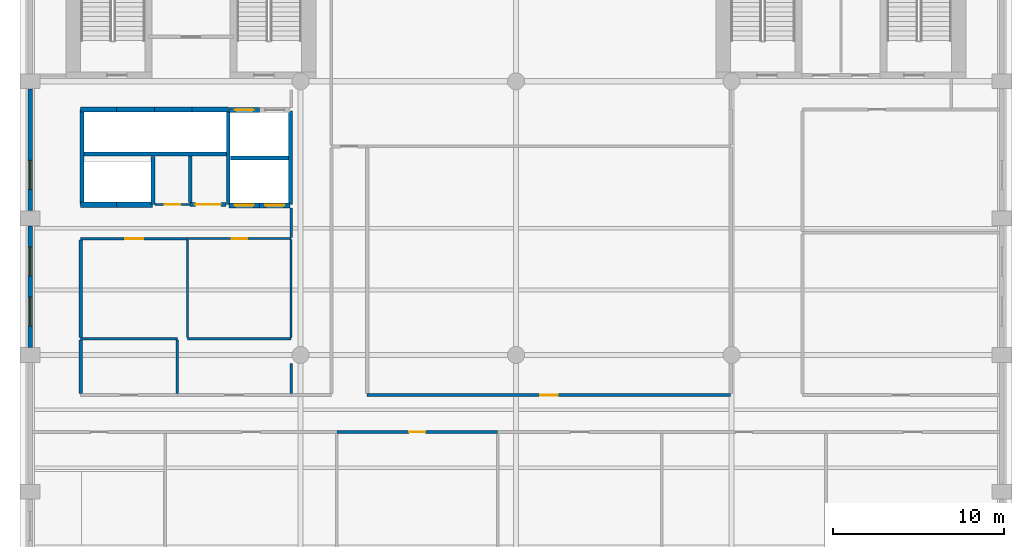
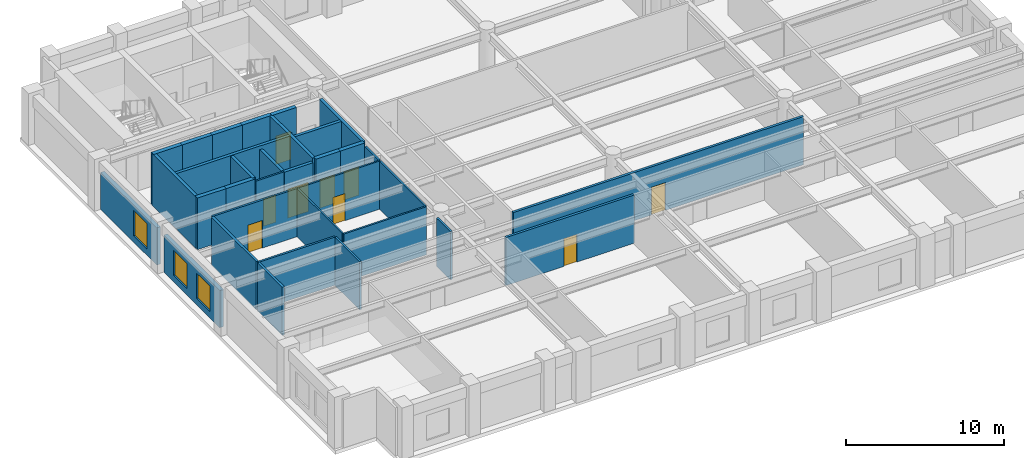
# One storey, part 3 of 9: 33 walls, 9 doors, 3 windows, 12 openings.
"""IFC4 building model written with IfcOpenShell, lengths in metres."""

from ifc_helpers import new_model, si_unit, direction, frame, frame_2d, origin, place, context, subcontext, project, spatial, rectangle, extrude, material, layer, layer_set, type_object, element, fill, save


model = new_model("IFC4")

# Units and contexts
model_context = context("Model", 3, precision=1e-05, world=origin(), true_north=direction((0.0, 1.0)))
body_context = subcontext(model_context, "Body", "Model", "MODEL_VIEW")
ifc_project = project(units=[si_unit("LENGTHUNIT", "METRE"), si_unit("AREAUNIT", "SQUARE_METRE"), si_unit("VOLUMEUNIT", "CUBIC_METRE"), si_unit("PLANEANGLEUNIT", "RADIAN"), si_unit("MASSUNIT", "GRAM", prefix="KILO")], contexts=[model_context])

# Site, building, storey
site_placement = place(None, origin())
site = spatial("IfcSite", under=ifc_project, at=site_placement, CompositionType="ELEMENT")
building_placement = place(site_placement, origin())
building = spatial("IfcBuilding", under=site, at=building_placement, Name="Sulina Concourse Tower", CompositionType="ELEMENT")
storey_placement = place(building_placement, frame((0.0, 0.0, 96.60009765625)))
storey = spatial("IfcBuildingStorey", under=building, at=storey_placement, Name="L23", CompositionType="ELEMENT", Elevation=96.60009765625)

# Walls
ifc_material_1 = material(Name="Concrete C50/60", Category="concrete")
ifc_layer_1 = layer(ifc_material_1, 0.219970703125)
ifc_layer_set_1 = layer_set([ifc_layer_1], Name="Concrete C50/60")
wall_type_1 = type_object("IfcWallType", Name="Core Lift Hoistway Divider Wall 220mm", PredefinedType="SOLIDWALL", material=ifc_layer_set_1)
wall_1_placement = place(storey_placement, frame((3.550048828125, 29.75, 0.0), z_axis=(0.0, 0.0, 1.0), x_axis=(1.0, 0.0, 0.0)))
element("IfcWall", 1, at=wall_1_placement, inside=storey, type_object=wall_type_1, Name="L23 shaft divider wall HW-LP3-S", PredefinedType="SOLIDWALL", context=body_context, shape_type="SweptSolid", body=[
    extrude(rectangle(XDim=8.64990234375, YDim=0.219970703125, at=frame_2d((4.324951171875, 0.0))), origin(), (0.0, 0.0, 1.0), 4.0),
])
wall_2_placement = place(storey_placement, frame((3.6298828125, 26.800048828125, 0.0), z_axis=(0.0, 0.0, 1.0), x_axis=(0.0, 1.0, 0.0)))
element("IfcWall", 2, at=wall_2_placement, inside=storey, type_object=wall_type_1, Name="L23 shaft divider wall HW-LP3-W", PredefinedType="SOLIDWALL", context=body_context, shape_type="SweptSolid", body=[
    extrude(rectangle(XDim=5.550048828125, YDim=0.219970703125, at=frame_2d((2.77490234375, 0.0))), origin(), (0.0, 0.0, 1.0), 4.0),
])
wall_3_placement = place(storey_placement, frame((7.780029296875, 26.800048828125, 0.0), z_axis=(0.0, 0.0, 1.0), x_axis=(0.0, 1.0, 0.0)))
element("IfcWall", 3, at=wall_3_placement, inside=storey, type_object=wall_type_1, Name="L23 shaft divider wall HW-EXP-E", PredefinedType="SOLIDWALL", context=body_context, shape_type="SweptSolid", body=[
    extrude(rectangle(XDim=2.800048828125, YDim=0.219970703125, at=frame_2d((1.39990234375, 0.0))), origin(), (0.0, 0.0, 1.0), 4.0),
])
for number, where, z_axis, x_axis, name in (
    (4, (12.179931640625, 26.800048828125, 0.0), (0.0, 0.0, 1.0), (0.0, 1.0, 0.0), "L23 shaft divider wall HW-LP2-W"),
    (5, (15.820068359375, 26.800048828125, 0.0), (0.0, 0.0, 1.0), (0.0, 1.0, 0.0), "L23 shaft divider wall HW-LP2-E"),
):
    element("IfcWall", number, at=place(storey_placement, frame(where, z_axis=z_axis, x_axis=x_axis)), inside=storey, type_object=wall_type_1, Name=name, PredefinedType="SOLIDWALL", context=body_context, shape_type="SweptSolid", body=[
        extrude(rectangle(XDim=5.449951171875, YDim=0.219970703125, at=frame_2d((2.72509765625, 0.0))), origin(), (0.0, 0.0, 1.0), 4.0),
    ])
wall_4_placement = place(storey_placement, frame((12.300048828125, 29.52001953125, 0.0), z_axis=(0.0, 0.0, 1.0), x_axis=(1.0, 0.0, 0.0)))
element("IfcWall", 6, at=wall_4_placement, inside=storey, type_object=wall_type_1, Name="L23 shaft divider wall HW-LP2-M", PredefinedType="SOLIDWALL", context=body_context, shape_type="SweptSolid", body=[
    extrude(rectangle(XDim=3.39990234375, YDim=0.219970703125, at=frame_2d((1.699951171875, 0.0))), origin(), (0.0, 0.0, 1.0), 4.0),
])

# Wall, opening, door
ifc_material_2 = material(Name="Concrete C50/60", Category="concrete")
ifc_layer_2 = layer(ifc_material_2, 0.300048828125)
ifc_layer_set_2 = layer_set([ifc_layer_2], Name="Concrete C50/60")
wall_type_2 = type_object("IfcWallType", Name="Core Lift Hoistway Wall 300mm", PredefinedType="SOLIDWALL", material=ifc_layer_set_2)
wall_5_placement = place(storey_placement, frame((14.0, 26.75, 0.0), z_axis=(0.0, 0.0, 1.0), x_axis=(-1.0, 0.0, 0.0)))
wall_5 = element("IfcWall", 7, at=wall_5_placement, inside=storey, type_object=wall_type_2, Name="L23 hoistway enclosure wall LP-05", PredefinedType="SOLIDWALL", context=body_context, shape_type="SweptSolid", body=[
    extrude(rectangle(XDim=1.780029296875, YDim=0.300048828125, at=frame_2d((0.89013671875, 0.0))), origin(), (0.0, 0.0, 1.0), 4.0),
])
opening_1_placement = place(wall_5_placement, frame((0.340087890625, 0.0, 0.0)))
opening_1 = element("IfcOpeningElement", 8, at=opening_1_placement, cuts=wall_5, Name="Opening LD-01", PredefinedType="OPENING", context=body_context, shape_type="SweptSolid", body=[
    extrude(rectangle(XDim=1.10009765625, YDim=2.199951171875, at=frame_2d((0.550048828125, 1.10009765625))), frame((0.0, 0.159912109375, 0.0), z_axis=(0.0, -1.0, 0.0), x_axis=(1.0, 0.0, 0.0)), (0.0, 0.0, 1.0), 0.320068359375),
])
ifc_material_3 = material(Name="Stainless steel lift landing door", Category="steel")
ifc_layer_3 = layer(ifc_material_3, 0.050048828125)
ifc_layer_set_3 = layer_set([ifc_layer_3], Name="Stainless steel lift landing door")
door_type_1 = type_object("IfcDoorType", Name="Passenger Lift Sliding Landing Door 1100x2200", OperationType="SLIDING_TO_LEFT", PredefinedType="DOOR", material=ifc_layer_set_3)
door_1_placement = place(opening_1_placement, origin())
door_1 = element("IfcDoor", 9, at=door_1_placement, inside=storey, type_object=door_type_1, Name="L23 lift landing sliding door LP-05", OperationType="SLIDING_TO_LEFT", OverallHeight=2.199951171875, OverallWidth=1.10009765625, PredefinedType="DOOR", context=body_context, shape_type="SweptSolid", body=[
    extrude(rectangle(XDim=1.10009765625, YDim=2.199951171875, at=frame_2d((0.550048828125, 1.10009765625))), frame((0.0, 0.02490234375, 0.0), z_axis=(0.0, -1.0, 0.0), x_axis=(1.0, 0.0, 0.0)), (0.0, 0.0, 1.0), 0.050048828125),
])
fill(opening_1, door_1)

wall_6_placement = place(storey_placement, frame((15.780029296875, 26.75, 0.0), z_axis=(0.0, 0.0, 1.0), x_axis=(-1.0, 0.0, 0.0)))
wall_6 = element("IfcWall", 10, at=wall_6_placement, inside=storey, type_object=wall_type_2, Name="L23 hoistway enclosure wall LP-06", PredefinedType="SOLIDWALL", context=body_context, shape_type="SweptSolid", body=[
    extrude(rectangle(XDim=1.780029296875, YDim=0.300048828125, at=frame_2d((0.89013671875, 0.0))), origin(), (0.0, 0.0, 1.0), 4.0),
])
opening_2_placement = place(wall_6_placement, frame((0.340087890625, 0.0, 0.0)))
opening_2 = element("IfcOpeningElement", 11, at=opening_2_placement, cuts=wall_6, Name="Opening LD-01", PredefinedType="OPENING", context=body_context, shape_type="SweptSolid", body=[
    extrude(rectangle(XDim=1.10009765625, YDim=2.199951171875, at=frame_2d((0.550048828125, 1.10009765625))), frame((0.0, 0.159912109375, 0.0), z_axis=(0.0, -1.0, 0.0), x_axis=(1.0, 0.0, 0.0)), (0.0, 0.0, 1.0), 0.320068359375),
])
door_2_placement = place(opening_2_placement, origin())
door_2 = element("IfcDoor", 12, at=door_2_placement, inside=storey, type_object=door_type_1, Name="L23 lift landing sliding door LP-06", OperationType="SLIDING_TO_RIGHT", OverallHeight=2.199951171875, OverallWidth=1.10009765625, PredefinedType="DOOR", context=body_context, shape_type="SweptSolid", body=[
    extrude(rectangle(XDim=1.10009765625, YDim=2.199951171875, at=frame_2d((0.550048828125, 1.10009765625))), frame((0.0, 0.02490234375, 0.0), z_axis=(0.0, -1.0, 0.0), x_axis=(1.0, 0.0, 0.0)), (0.0, 0.0, 1.0), 0.050048828125),
])
fill(opening_2, door_2)

wall_7_placement = place(storey_placement, frame((12.219970703125, 32.320068359375, 0.0), z_axis=(0.0, 0.0, 1.0), x_axis=(1.0, 0.0, 0.0)))
wall_7 = element("IfcWall", 13, at=wall_7_placement, inside=storey, type_object=wall_type_2, Name="L23 hoistway enclosure wall LP-07", PredefinedType="SOLIDWALL", context=body_context, shape_type="SweptSolid", body=[
    extrude(rectangle(XDim=1.780029296875, YDim=0.300048828125, at=frame_2d((0.89013671875, 0.0))), origin(), (0.0, 0.0, 1.0), 4.0),
])
opening_3_placement = place(wall_7_placement, frame((0.340087890625, 0.0, 0.0)))
opening_3 = element("IfcOpeningElement", 14, at=opening_3_placement, cuts=wall_7, Name="Opening LD-01", PredefinedType="OPENING", context=body_context, shape_type="SweptSolid", body=[
    extrude(rectangle(XDim=1.10009765625, YDim=2.199951171875, at=frame_2d((0.550048828125, 1.10009765625))), frame((0.0, 0.159912109375, 0.0), z_axis=(0.0, -1.0, 0.0), x_axis=(1.0, 0.0, 0.0)), (0.0, 0.0, 1.0), 0.320068359375),
])
door_3_placement = place(opening_3_placement, origin())
door_3 = element("IfcDoor", 15, at=door_3_placement, inside=storey, type_object=door_type_1, Name="L23 lift landing sliding door LP-07", OperationType="SLIDING_TO_LEFT", OverallHeight=2.199951171875, OverallWidth=1.10009765625, PredefinedType="DOOR", context=body_context, shape_type="SweptSolid", body=[
    extrude(rectangle(XDim=1.10009765625, YDim=2.199951171875, at=frame_2d((0.550048828125, 1.10009765625))), frame((0.0, 0.02490234375, 0.0), z_axis=(0.0, -1.0, 0.0), x_axis=(1.0, 0.0, 0.0)), (0.0, 0.0, 1.0), 0.050048828125),
])
fill(opening_3, door_3)

# Walls
wall_8_placement = place(storey_placement, frame((3.550048828125, 32.35009765625, 0.0), z_axis=(0.0, 0.0, 1.0), x_axis=(1.0, 0.0, 0.0)))
element("IfcWall", 16, at=wall_8_placement, inside=storey, type_object=wall_type_2, Name="L23 hoistway enclosure wall LP-09", PredefinedType="SOLIDWALL", context=body_context, shape_type="SweptSolid", body=[
    extrude(rectangle(XDim=2.099853515625, YDim=0.300048828125, at=frame_2d((1.0498046875, 0.0))), origin(), (0.0, 0.0, 1.0), 4.0),
])
wall_9_placement = place(storey_placement, frame((5.64990234375, 32.35009765625, 0.0), z_axis=(0.0, 0.0, 1.0), x_axis=(1.0, 0.0, 0.0)))
element("IfcWall", 17, at=wall_9_placement, inside=storey, type_object=wall_type_2, Name="L23 hoistway enclosure wall LP-10", PredefinedType="SOLIDWALL", context=body_context, shape_type="SweptSolid", body=[
    extrude(rectangle(XDim=2.2001953125, YDim=0.300048828125, at=frame_2d((1.10009765625, 0.0))), origin(), (0.0, 0.0, 1.0), 4.0),
])
wall_10_placement = place(storey_placement, frame((7.85009765625, 32.35009765625, 0.0), z_axis=(0.0, 0.0, 1.0), x_axis=(1.0, 0.0, 0.0)))
element("IfcWall", 18, at=wall_10_placement, inside=storey, type_object=wall_type_2, Name="L23 hoistway enclosure wall LP-11", PredefinedType="SOLIDWALL", context=body_context, shape_type="SweptSolid", body=[
    extrude(rectangle(XDim=2.199951171875, YDim=0.300048828125, at=frame_2d((1.10009765625, 0.0))), origin(), (0.0, 0.0, 1.0), 4.0),
])
wall_11_placement = place(storey_placement, frame((10.050048828125, 32.35009765625, 0.0), z_axis=(0.0, 0.0, 1.0), x_axis=(1.0, 0.0, 0.0)))
element("IfcWall", 19, at=wall_11_placement, inside=storey, type_object=wall_type_2, Name="L23 hoistway enclosure wall LP-12", PredefinedType="SOLIDWALL", context=body_context, shape_type="SweptSolid", body=[
    extrude(rectangle(XDim=2.14990234375, YDim=0.300048828125, at=frame_2d((1.074951171875, 0.0))), origin(), (0.0, 0.0, 1.0), 4.0),
])
wall_12_placement = place(storey_placement, frame((5.64990234375, 26.780029296875, 0.0), z_axis=(0.0, 0.0, 1.0), x_axis=(-1.0, 0.0, 0.0)))
element("IfcWall", 20, at=wall_12_placement, inside=storey, type_object=wall_type_2, Name="L23 hoistway enclosure wall EXP-1", PredefinedType="SOLIDWALL", context=body_context, shape_type="SweptSolid", body=[
    extrude(rectangle(XDim=2.099853515625, YDim=0.300048828125, at=frame_2d((1.0498046875, 0.0))), origin(), (0.0, 0.0, 1.0), 4.0),
])
wall_13_placement = place(storey_placement, frame((7.75, 26.780029296875, 0.0), z_axis=(0.0, 0.0, 1.0), x_axis=(-1.0, 0.0, 0.0)))
element("IfcWall", 21, at=wall_13_placement, inside=storey, type_object=wall_type_2, Name="L23 hoistway enclosure wall EXP-2", PredefinedType="SOLIDWALL", context=body_context, shape_type="SweptSolid", body=[
    extrude(rectangle(XDim=2.10009765625, YDim=0.300048828125, at=frame_2d((1.050048828125, 0.0))), origin(), (0.0, 0.0, 1.0), 4.0),
])

# Wall, opening, door
ifc_material_4 = material(Name="Gypsum board on steel stud", Category="steel")
ifc_layer_4 = layer(ifc_material_4, 0.219970703125)
ifc_layer_set_4 = layer_set([ifc_layer_4], Name="Gypsum board on steel stud")
wall_type_3 = type_object("IfcWallType", Name="Fire-Rated Lobby & Compartment Wall 220mm", PredefinedType="PARTITIONING", material=ifc_layer_set_4)
wall_14_placement = place(storey_placement, frame((9.949951171875, 26.800048828125, 0.0), z_axis=(0.0, 0.0, 1.0), x_axis=(1.0, 0.0, 0.0)))
wall_14 = element("IfcWall", 22, at=wall_14_placement, inside=storey, type_object=wall_type_3, Name="L23 interior partition 018", PredefinedType="PARTITIONING", context=body_context, shape_type="SweptSolid", body=[
    extrude(rectangle(XDim=2.10009765625, YDim=0.219970703125, at=frame_2d((1.050048828125, 0.0))), origin(), (0.0, 0.0, 1.0), 3.724853515625),
])
opening_4_placement = place(wall_14_placement, frame((0.300048828125, 0.0, 0.0)))
opening_4 = element("IfcOpeningElement", 23, at=opening_4_placement, cuts=wall_14, Name="Opening DR-80", PredefinedType="OPENING", context=body_context, shape_type="SweptSolid", body=[
    extrude(rectangle(XDim=1.5, YDim=2.25, at=frame_2d((0.75, 1.125))), frame((0.0, 0.119873046875, 0.0), z_axis=(0.0, -1.0, 0.0), x_axis=(1.0, 0.0, 0.0)), (0.0, 0.0, 1.0), 0.239990234375),
])
ifc_material_5 = material(Name="Galvanised steel acoustic fire leaf", Category="steel")
ifc_layer_5 = layer(ifc_material_5, 0.054931640625)
ifc_layer_set_5 = layer_set([ifc_layer_5], Name="Galvanised steel acoustic fire leaf")
door_type_2 = type_object("IfcDoorType", Name="Mechanical Plant Double Fire Door 1500x2250", OperationType="DOUBLE_DOOR_SINGLE_SWING", PredefinedType="DOOR", material=ifc_layer_set_5)
door_4_placement = place(opening_4_placement, origin())
door_4 = element("IfcDoor", 24, at=door_4_placement, inside=storey, type_object=door_type_2, Name="L23 interior door L23-IT-IDF", OperationType="DOUBLE_DOOR_SINGLE_SWING", OverallHeight=2.25, OverallWidth=1.5, PredefinedType="DOOR", context=body_context, shape_type="SweptSolid", body=[
    extrude(rectangle(XDim=1.5, YDim=2.25, at=frame_2d((0.75, 1.125))), frame((0.0, 0.02490234375, 0.0), z_axis=(0.0, -1.0, 0.0), x_axis=(1.0, 0.0, 0.0)), (0.0, 0.0, 1.0), 0.050048828125),
])
fill(opening_4, door_4)

# Walls
wall_15_placement = place(storey_placement, frame((9.949951171875, 26.909912109375, 0.0), z_axis=(0.0, 0.0, 1.0), x_axis=(0.0, 1.0, 0.0)))
element("IfcWall", 25, at=wall_15_placement, inside=storey, type_object=wall_type_3, Name="L23 interior partition 031", PredefinedType="PARTITIONING", context=body_context, shape_type="SweptSolid", body=[
    extrude(rectangle(XDim=2.72998046875, YDim=0.219970703125, at=frame_2d((1.364990234375, 0.0))), origin(), (0.0, 0.0, 1.0), 3.724853515625),
])
ifc_material_6 = material(Name="Gypsum board on steel stud", Category="steel")
ifc_layer_6 = layer(ifc_material_6, 0.14990234375)
ifc_layer_set_6 = layer_set([ifc_layer_6], Name="Gypsum board on steel stud")
wall_type_4 = type_object("IfcWallType", Name="Inter-Tenancy Acoustic Partition 150mm", PredefinedType="PARTITIONING", material=ifc_layer_set_6)
wall_16_placement = place(storey_placement, frame((3.550048828125, 18.949951171875, 0.0), z_axis=(0.0, 0.0, 1.0), x_axis=(1.0, 0.0, 0.0)))
element("IfcWall", 26, at=wall_16_placement, inside=storey, type_object=wall_type_4, Name="L23 interior partition 012", PredefinedType="PARTITIONING", context=body_context, shape_type="SweptSolid", body=[
    extrude(rectangle(XDim=5.64990234375, YDim=0.14990234375, at=frame_2d((2.824951171875, 0.0))), origin(), (0.0, 0.0, 1.0), 3.724853515625),
])

# Wall, opening, door
wall_17_placement = place(storey_placement, frame((3.550048828125, 24.800048828125, 0.0), z_axis=(0.0, 0.0, 1.0), x_axis=(1.0, 0.0, 0.0)))
wall_17 = element("IfcWall", 27, at=wall_17_placement, inside=storey, type_object=wall_type_4, Name="L23 interior partition 014", PredefinedType="PARTITIONING", context=body_context, shape_type="SweptSolid", body=[
    extrude(rectangle(XDim=6.25, YDim=0.14990234375, at=frame_2d((3.125, 0.0))), origin(), (0.0, 0.0, 1.0), 3.724853515625),
])
opening_5_placement = place(wall_17_placement, frame((2.60009765625, 0.0, 0.0)))
opening_5 = element("IfcOpeningElement", 28, at=opening_5_placement, cuts=wall_17, Name="Opening DR-37", PredefinedType="OPENING", context=body_context, shape_type="SweptSolid", body=[
    extrude(rectangle(XDim=1.050048828125, YDim=2.14990234375, at=frame_2d((0.52490234375, 1.074951171875))), frame((0.0, 0.0849609375, 0.0), z_axis=(0.0, -1.0, 0.0), x_axis=(1.0, 0.0, 0.0)), (0.0, 0.0, 1.0), 0.169921875),
])
ifc_material_7 = material(Name="Oak-veneered fire door leaf")
ifc_layer_7 = layer(ifc_material_7, 0.050048828125)
ifc_layer_set_7 = layer_set([ifc_layer_7], Name="Oak-veneered fire door leaf")
door_type_3 = type_object("IfcDoorType", Name="Tenant Suite Entrance Fire Door 1050x2150", OperationType="NOTDEFINED", PredefinedType="DOOR", material=ifc_layer_set_7)
door_5_placement = place(opening_5_placement, origin())
door_5 = element("IfcDoor", 29, at=door_5_placement, inside=storey, type_object=door_type_3, Name="L23 interior door L23-LR-MRG1", OperationType="SINGLE_SWING_LEFT", OverallHeight=2.14990234375, OverallWidth=1.050048828125, PredefinedType="DOOR", context=body_context, shape_type="SweptSolid", body=[
    extrude(rectangle(XDim=1.050048828125, YDim=2.14990234375, at=frame_2d((0.52490234375, 1.074951171875))), frame((0.0, 0.02490234375, 0.0), z_axis=(0.0, -1.0, 0.0), x_axis=(1.0, 0.0, 0.0)), (0.0, 0.0, 1.0), 0.050048828125),
])
fill(opening_5, door_5)

# Walls
wall_18_placement = place(storey_placement, frame((9.199951171875, 15.739990234375, 0.0), z_axis=(0.0, 0.0, 1.0), x_axis=(0.0, 1.0, 0.0)))
element("IfcWall", 30, at=wall_18_placement, inside=storey, type_object=wall_type_4, Name="L23 interior partition 029", PredefinedType="PARTITIONING", context=body_context, shape_type="SweptSolid", body=[
    extrude(rectangle(XDim=3.135009765625, YDim=0.14990234375, at=frame_2d((1.5673828125, 0.0))), origin(), (0.0, 0.0, 1.0), 3.724853515625),
])
wall_19_placement = place(storey_placement, frame((15.85009765625, 15.739990234375, 0.0), z_axis=(0.0, 0.0, 1.0), x_axis=(0.0, 1.0, 0.0)))
element("IfcWall", 31, at=wall_19_placement, inside=storey, type_object=wall_type_4, Name="L23 interior partition 032", PredefinedType="PARTITIONING", context=body_context, shape_type="SweptSolid", body=[
    extrude(rectangle(XDim=1.760009765625, YDim=0.14990234375, at=frame_2d((0.8798828125, 0.0))), origin(), (0.0, 0.0, 1.0), 3.724853515625),
])
wall_20_placement = place(storey_placement, frame((15.85009765625, 24.862548828125, 0.0), z_axis=(0.0, 0.0, 1.0), x_axis=(0.0, 1.0, 0.0)))
element("IfcWall", 32, at=wall_20_placement, inside=storey, type_object=wall_type_4, Name="L23 interior partition 034", PredefinedType="PARTITIONING", context=body_context, shape_type="SweptSolid", body=[
    extrude(rectangle(XDim=1.737548828125, YDim=0.14990234375, at=frame_2d((0.86865234375, 0.0))), origin(), (0.0, 0.0, 1.0), 3.724853515625),
])

# Wall, opening, door
ifc_material_8 = material(Name="Gypsum board on steel stud", Category="steel")
ifc_layer_8 = layer(ifc_material_8, 0.179931640625)
ifc_layer_set_8 = layer_set([ifc_layer_8], Name="Gypsum board on steel stud")
wall_type_5 = type_object("IfcWallType", Name="Protected Corridor & Riser Partition 180mm", PredefinedType="PARTITIONING", material=ifc_layer_set_8)
wall_21_placement = place(storey_placement, frame((18.52001953125, 13.5, 0.0), z_axis=(0.0, 0.0, 1.0), x_axis=(1.0, 0.0, 0.0)))
wall_21 = element("IfcWall", 33, at=wall_21_placement, inside=storey, type_object=wall_type_5, Name="L23 interior partition 003", PredefinedType="PARTITIONING", context=body_context, shape_type="SweptSolid", body=[
    extrude(rectangle(XDim=9.39990234375, YDim=0.179931640625, at=frame_2d((4.699951171875, 0.0))), origin(), (0.0, 0.0, 1.0), 3.724853515625),
])
opening_6_placement = place(wall_21_placement, frame((4.22509765625, 0.0, 0.0)))
opening_6 = element("IfcOpeningElement", 34, at=opening_6_placement, cuts=wall_21, Name="Opening DR-19", PredefinedType="OPENING", context=body_context, shape_type="SweptSolid", body=[
    extrude(rectangle(XDim=0.949951171875, YDim=2.14990234375, at=frame_2d((0.47509765625, 1.074951171875))), frame((0.0, 0.099853515625, 0.0), z_axis=(0.0, -1.0, 0.0), x_axis=(1.0, 0.0, 0.0)), (0.0, 0.0, 1.0), 0.199951171875),
])
ifc_material_9 = material(Name="Oak-veneered acoustic timber leaf", Category="wood")
ifc_layer_9 = layer(ifc_material_9, 0.050048828125)
ifc_layer_set_9 = layer_set([ifc_layer_9], Name="Oak-veneered acoustic timber leaf")
door_type_4 = type_object("IfcDoorType", Name="Cellular Office & Meeting Door 950x2150", OperationType="NOTDEFINED", PredefinedType="DOOR", material=ifc_layer_set_9)
door_6_placement = place(opening_6_placement, origin())
door_6 = element("IfcDoor", 35, at=door_6_placement, inside=storey, type_object=door_type_4, Name="L23 interior door L23-S03", OperationType="SINGLE_SWING_LEFT", OverallHeight=2.14990234375, OverallWidth=0.949951171875, PredefinedType="DOOR", context=body_context, shape_type="SweptSolid", body=[
    extrude(rectangle(XDim=0.949951171875, YDim=2.14990234375, at=frame_2d((0.47509765625, 1.074951171875))), frame((0.0, 0.02490234375, 0.0), z_axis=(0.0, -1.0, 0.0), x_axis=(1.0, 0.0, 0.0)), (0.0, 0.0, 1.0), 0.050048828125),
])
fill(opening_6, door_6)

wall_22_placement = place(storey_placement, frame((20.300048828125, 15.64990234375, 0.0), z_axis=(0.0, 0.0, 1.0), x_axis=(1.0, 0.0, 0.0)))
wall_22 = element("IfcWall", 36, at=wall_22_placement, inside=storey, type_object=wall_type_5, Name="L23 interior partition 010", PredefinedType="PARTITIONING", context=body_context, shape_type="SweptSolid", body=[
    extrude(rectangle(XDim=21.25, YDim=0.179931640625, at=frame_2d((10.625, 0.0))), origin(), (0.0, 0.0, 1.0), 3.724853515625),
])
opening_7_placement = place(wall_22_placement, frame((10.10009765625, 0.0, 0.0)))
opening_7 = element("IfcOpeningElement", 37, at=opening_7_placement, cuts=wall_22, Name="Opening DR-37", PredefinedType="OPENING", context=body_context, shape_type="SweptSolid", body=[
    extrude(rectangle(XDim=1.050048828125, YDim=2.14990234375, at=frame_2d((0.52490234375, 1.074951171875))), frame((0.0, 0.099853515625, 0.0), z_axis=(0.0, -1.0, 0.0), x_axis=(1.0, 0.0, 0.0)), (0.0, 0.0, 1.0), 0.199951171875),
])
door_7_placement = place(opening_7_placement, origin())
door_7 = element("IfcDoor", 38, at=door_7_placement, inside=storey, type_object=door_type_3, Name="L23 interior door L23-NC3", OperationType="SINGLE_SWING_LEFT", OverallHeight=2.14990234375, OverallWidth=1.050048828125, PredefinedType="DOOR", context=body_context, shape_type="SweptSolid", body=[
    extrude(rectangle(XDim=1.050048828125, YDim=2.14990234375, at=frame_2d((0.52490234375, 1.074951171875))), frame((0.0, 0.02490234375, 0.0), z_axis=(0.0, -1.0, 0.0), x_axis=(1.0, 0.0, 0.0)), (0.0, 0.0, 1.0), 0.050048828125),
])
fill(opening_7, door_7)

# Walls
wall_23_placement = place(storey_placement, frame((3.550048828125, 15.739990234375, 0.0), z_axis=(0.0, 0.0, 1.0), x_axis=(0.0, 1.0, 0.0)))
element("IfcWall", 39, at=wall_23_placement, inside=storey, type_object=wall_type_5, Name="L23 interior partition 026", PredefinedType="PARTITIONING", context=body_context, shape_type="SweptSolid", body=[
    extrude(rectangle(XDim=3.135009765625, YDim=0.179931640625, at=frame_2d((1.5673828125, 0.0))), origin(), (0.0, 0.0, 1.0), 3.724853515625),
])
wall_24_placement = place(storey_placement, frame((3.550048828125, 19.02490234375, 0.0), z_axis=(0.0, 0.0, 1.0), x_axis=(0.0, 1.0, 0.0)))
element("IfcWall", 40, at=wall_24_placement, inside=storey, type_object=wall_type_5, Name="L23 interior partition 027", PredefinedType="PARTITIONING", context=body_context, shape_type="SweptSolid", body=[
    extrude(rectangle(XDim=5.7001953125, YDim=0.179931640625, at=frame_2d((2.85009765625, 0.0))), origin(), (0.0, 0.0, 1.0), 3.724853515625),
])

# Wall, openings, windows
ifc_material_10 = material(Name="Precast concrete C50/60", Category="concrete")
ifc_layer_10 = layer(ifc_material_10, 0.280029296875)
ifc_layer_set_10 = layer_set([ifc_layer_10], Name="Precast concrete C50/60")
wall_type_6 = type_object("IfcWallType", Name="Typical Precast Masonry-Frame Facade Wall 280mm", PredefinedType="SOLIDWALL", material=ifc_layer_set_10)
wall_25_placement = place(storey_placement, frame((0.60009765625, 18.445068359375, 0.0), z_axis=(0.0, 0.0, 1.0), x_axis=(0.0, 1.0, 0.0)))
wall_25 = element("IfcWall", 41, at=wall_25_placement, inside=storey, type_object=wall_type_6, Name="L23 exterior precast wall W3", PredefinedType="SOLIDWALL", context=body_context, shape_type="SweptSolid", body=[
    extrude(rectangle(XDim=7.10986328125, YDim=0.280029296875, at=frame_2d((3.554931640625, 0.0))), origin(), (0.0, 0.0, 1.0), 2.875),
])
opening_8_placement = place(wall_25_placement, frame((1.23681640625, 0.0, 0.5)))
opening_8 = element("IfcOpeningElement", 42, at=opening_8_placement, cuts=wall_25, Name="Opening WN-66", PredefinedType="OPENING", context=body_context, shape_type="SweptSolid", body=[
    extrude(rectangle(XDim=1.699951171875, YDim=1.949951171875, at=frame_2d((0.85009765625, 0.97509765625))), frame((0.0, 0.14990234375, 0.0), z_axis=(0.0, -1.0, 0.0), x_axis=(1.0, 0.0, 0.0)), (0.0, 0.0, 1.0), 0.300048828125),
])
opening_9_placement = place(wall_25_placement, frame((4.17333984375, 0.0, 0.5)))
opening_9 = element("IfcOpeningElement", 43, at=opening_9_placement, cuts=wall_25, Name="Opening WN-66", PredefinedType="OPENING", context=body_context, shape_type="SweptSolid", body=[
    extrude(rectangle(XDim=1.699951171875, YDim=1.949951171875, at=frame_2d((0.85009765625, 0.97509765625))), frame((0.0, 0.14990234375, 0.0), z_axis=(0.0, -1.0, 0.0), x_axis=(1.0, 0.0, 0.0)), (0.0, 0.0, 1.0), 0.300048828125),
])
ifc_material_11 = material(Name="Low-E solar double glazing in bronze aluminium", Category="aluminium")
window_type = type_object("IfcWindowType", Name="Recessed Spandrel Window 1700x1950", PartitioningType="SINGLE_PANEL", PredefinedType="WINDOW", material=ifc_material_11)
window_1_placement = place(opening_8_placement, origin())
window_1 = element("IfcWindow", 44, at=window_1_placement, inside=storey, type_object=window_type, Name="L23 punched window W3-1", OverallHeight=1.949951171875, OverallWidth=1.699951171875, PartitioningType="SINGLE_PANEL", PredefinedType="WINDOW", context=body_context, shape_type="SweptSolid", body=[
    extrude(rectangle(XDim=1.699951171875, YDim=1.949951171875, at=frame_2d((0.85009765625, 0.97509765625))), frame((0.0, 0.030029296875, 0.0), z_axis=(0.0, -1.0, 0.0), x_axis=(1.0, 0.0, 0.0)), (0.0, 0.0, 1.0), 0.06005859375),
])
fill(opening_8, window_1)
window_2_placement = place(opening_9_placement, origin())
window_2 = element("IfcWindow", 45, at=window_2_placement, inside=storey, type_object=window_type, Name="L23 punched window W3-2", OverallHeight=1.949951171875, OverallWidth=1.699951171875, PartitioningType="SINGLE_PANEL", PredefinedType="WINDOW", context=body_context, shape_type="SweptSolid", body=[
    extrude(rectangle(XDim=1.699951171875, YDim=1.949951171875, at=frame_2d((0.85009765625, 0.97509765625))), frame((0.0, 0.030029296875, 0.0), z_axis=(0.0, -1.0, 0.0), x_axis=(1.0, 0.0, 0.0)), (0.0, 0.0, 1.0), 0.06005859375),
])
fill(opening_9, window_2)

# Wall, opening, window
wall_26_placement = place(storey_placement, frame((0.60009765625, 26.445068359375, 0.0), z_axis=(0.0, 0.0, 1.0), x_axis=(0.0, 1.0, 0.0)))
wall_26 = element("IfcWall", 46, at=wall_26_placement, inside=storey, type_object=wall_type_6, Name="L23 exterior precast wall W4", PredefinedType="SOLIDWALL", context=body_context, shape_type="SweptSolid", body=[
    extrude(rectangle(XDim=7.10986328125, YDim=0.280029296875, at=frame_2d((3.554931640625, 0.0))), origin(), (0.0, 0.0, 1.0), 2.875),
])
opening_10_placement = place(wall_26_placement, frame((1.23681640625, 0.0, 0.5)))
opening_10 = element("IfcOpeningElement", 47, at=opening_10_placement, cuts=wall_26, Name="Opening WN-66", PredefinedType="OPENING", context=body_context, shape_type="SweptSolid", body=[
    extrude(rectangle(XDim=1.699951171875, YDim=1.949951171875, at=frame_2d((0.85009765625, 0.97509765625))), frame((0.0, 0.14990234375, 0.0), z_axis=(0.0, -1.0, 0.0), x_axis=(1.0, 0.0, 0.0)), (0.0, 0.0, 1.0), 0.300048828125),
])
window_3_placement = place(opening_10_placement, origin())
window_3 = element("IfcWindow", 48, at=window_3_placement, inside=storey, type_object=window_type, Name="L23 punched window W4-1", OverallHeight=1.949951171875, OverallWidth=1.699951171875, PartitioningType="SINGLE_PANEL", PredefinedType="WINDOW", context=body_context, shape_type="SweptSolid", body=[
    extrude(rectangle(XDim=1.699951171875, YDim=1.949951171875, at=frame_2d((0.85009765625, 0.97509765625))), frame((0.0, 0.030029296875, 0.0), z_axis=(0.0, -1.0, 0.0), x_axis=(1.0, 0.0, 0.0)), (0.0, 0.0, 1.0), 0.06005859375),
])
fill(opening_10, window_3)

# Wall
ifc_material_12 = material(Name="Gypsum board on steel stud", Category="steel")
ifc_layer_11 = layer(ifc_material_12, 0.125)
ifc_layer_set_11 = layer_set([ifc_layer_11], Name="Gypsum board on steel stud")
wall_type_7 = type_object("IfcWallType", Name="Wet-Area Moisture-Resistant Partition 125mm", PredefinedType="PARTITIONING", material=ifc_layer_set_11)
wall_27_placement = place(storey_placement, frame((9.800048828125, 18.949951171875, 0.0), z_axis=(0.0, 0.0, 1.0), x_axis=(1.0, 0.0, 0.0)))
element("IfcWall", 49, at=wall_27_placement, inside=storey, type_object=wall_type_7, Name="L23 interior partition 013", PredefinedType="PARTITIONING", context=body_context, shape_type="SweptSolid", body=[
    extrude(rectangle(XDim=6.050048828125, YDim=0.125, at=frame_2d((3.02490234375, 0.0))), origin(), (0.0, 0.0, 1.0), 3.724853515625),
])

# Wall, opening, door
wall_28_placement = place(storey_placement, frame((9.800048828125, 24.800048828125, 0.0), z_axis=(0.0, 0.0, 1.0), x_axis=(1.0, 0.0, 0.0)))
wall_28 = element("IfcWall", 50, at=wall_28_placement, inside=storey, type_object=wall_type_7, Name="L23 interior partition 015", PredefinedType="PARTITIONING", context=body_context, shape_type="SweptSolid", body=[
    extrude(rectangle(XDim=6.050048828125, YDim=0.125, at=frame_2d((3.02490234375, 0.0))), origin(), (0.0, 0.0, 1.0), 3.724853515625),
])
opening_11_placement = place(wall_28_placement, frame((2.574951171875, 0.0, 0.0)))
opening_11 = element("IfcOpeningElement", 51, at=opening_11_placement, cuts=wall_28, Name="Opening DR-21", PredefinedType="OPENING", context=body_context, shape_type="SweptSolid", body=[
    extrude(rectangle(XDim=0.89990234375, YDim=2.10009765625, at=frame_2d((0.449951171875, 1.050048828125))), frame((0.0, 0.072509765625, 0.0), z_axis=(0.0, -1.0, 0.0), x_axis=(1.0, 0.0, 0.0)), (0.0, 0.0, 1.0), 0.14501953125),
])
ifc_material_13 = material(Name="Oak-veneered fire door leaf")
ifc_layer_12 = layer(ifc_material_13, 0.050048828125)
ifc_layer_set_12 = layer_set([ifc_layer_12], Name="Oak-veneered fire door leaf")
door_type_5 = type_object("IfcDoorType", Name="Restroom & Service Door 900x2100", OperationType="NOTDEFINED", PredefinedType="DOOR", material=ifc_layer_set_12)
door_8_placement = place(opening_11_placement, origin())
door_8 = element("IfcDoor", 52, at=door_8_placement, inside=storey, type_object=door_type_5, Name="L23 interior door L23-LR-MRG2", OperationType="SINGLE_SWING_RIGHT", OverallHeight=2.10009765625, OverallWidth=0.89990234375, PredefinedType="DOOR", context=body_context, shape_type="SweptSolid", body=[
    extrude(rectangle(XDim=0.89990234375, YDim=2.10009765625, at=frame_2d((0.449951171875, 1.050048828125))), frame((0.0, 0.02490234375, 0.0), z_axis=(0.0, -1.0, 0.0), x_axis=(1.0, 0.0, 0.0)), (0.0, 0.0, 1.0), 0.050048828125),
])
fill(opening_11, door_8)

wall_29_placement = place(storey_placement, frame((7.889892578125, 26.800048828125, 0.0), z_axis=(0.0, 0.0, 1.0), x_axis=(1.0, 0.0, 0.0)))
wall_29 = element("IfcWall", 53, at=wall_29_placement, inside=storey, type_object=wall_type_7, Name="L23 interior partition 017", PredefinedType="PARTITIONING", context=body_context, shape_type="SweptSolid", body=[
    extrude(rectangle(XDim=2.06005859375, YDim=0.125, at=frame_2d((1.030029296875, 0.0))), origin(), (0.0, 0.0, 1.0), 3.724853515625),
])
opening_12_placement = place(wall_29_placement, frame((0.570068359375, 0.0, 0.0)))
opening_12 = element("IfcOpeningElement", 54, at=opening_12_placement, cuts=wall_29, Name="Opening DR-61", PredefinedType="OPENING", context=body_context, shape_type="SweptSolid", body=[
    extrude(rectangle(XDim=0.919921875, YDim=2.10009765625, at=frame_2d((0.4599609375, 1.050048828125))), frame((0.0, 0.072509765625, 0.0), z_axis=(0.0, -1.0, 0.0), x_axis=(1.0, 0.0, 0.0)), (0.0, 0.0, 1.0), 0.14501953125),
])
ifc_material_14 = material(Name="Oak-veneered fire door leaf")
ifc_layer_13 = layer(ifc_material_14, 0.050048828125)
ifc_layer_set_13 = layer_set([ifc_layer_13], Name="Oak-veneered fire door leaf")
door_type_6 = type_object("IfcDoorType", Name="Accessible WC Door 920x2100", OperationType="NOTDEFINED", PredefinedType="DOOR", material=ifc_layer_set_13)
door_9_placement = place(opening_12_placement, origin())
door_9 = element("IfcDoor", 55, at=door_9_placement, inside=storey, type_object=door_type_6, Name="L23 interior door L23-WC-ACC", OperationType="SINGLE_SWING_LEFT", OverallHeight=2.10009765625, OverallWidth=0.919921875, PredefinedType="DOOR", context=body_context, shape_type="SweptSolid", body=[
    extrude(rectangle(XDim=0.919921875, YDim=2.10009765625, at=frame_2d((0.4599609375, 1.050048828125))), frame((0.0, 0.02490234375, 0.0), z_axis=(0.0, -1.0, 0.0), x_axis=(1.0, 0.0, 0.0)), (0.0, 0.0, 1.0), 0.050048828125),
])
fill(opening_12, door_9)

# Walls
wall_30_placement = place(storey_placement, frame((9.800048828125, 19.012451171875, 0.0), z_axis=(0.0, 0.0, 1.0), x_axis=(0.0, 1.0, 0.0)))
element("IfcWall", 56, at=wall_30_placement, inside=storey, type_object=wall_type_7, Name="L23 interior partition 030", PredefinedType="PARTITIONING", context=body_context, shape_type="SweptSolid", body=[
    extrude(rectangle(XDim=5.712646484375, YDim=0.125, at=frame_2d((2.8564453125, 0.0))), origin(), (0.0, 0.0, 1.0), 3.724853515625),
])
wall_31_placement = place(storey_placement, frame((15.85009765625, 19.012451171875, 0.0), z_axis=(0.0, 0.0, 1.0), x_axis=(0.0, 1.0, 0.0)))
element("IfcWall", 57, at=wall_31_placement, inside=storey, type_object=wall_type_7, Name="L23 interior partition 033", PredefinedType="PARTITIONING", context=body_context, shape_type="SweptSolid", body=[
    extrude(rectangle(XDim=5.72509765625, YDim=0.125, at=frame_2d((2.862548828125, 0.0))), origin(), (0.0, 0.0, 1.0), 3.724853515625),
])

save(model, "model.ifc")
